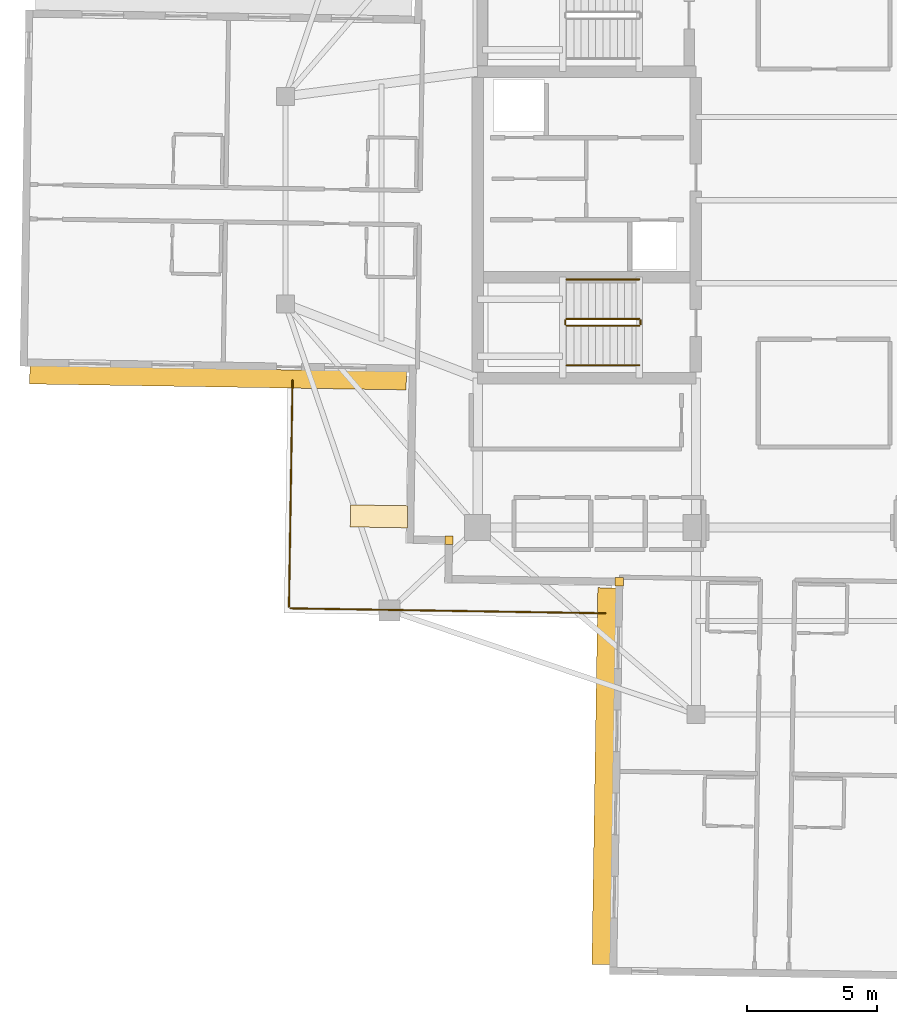
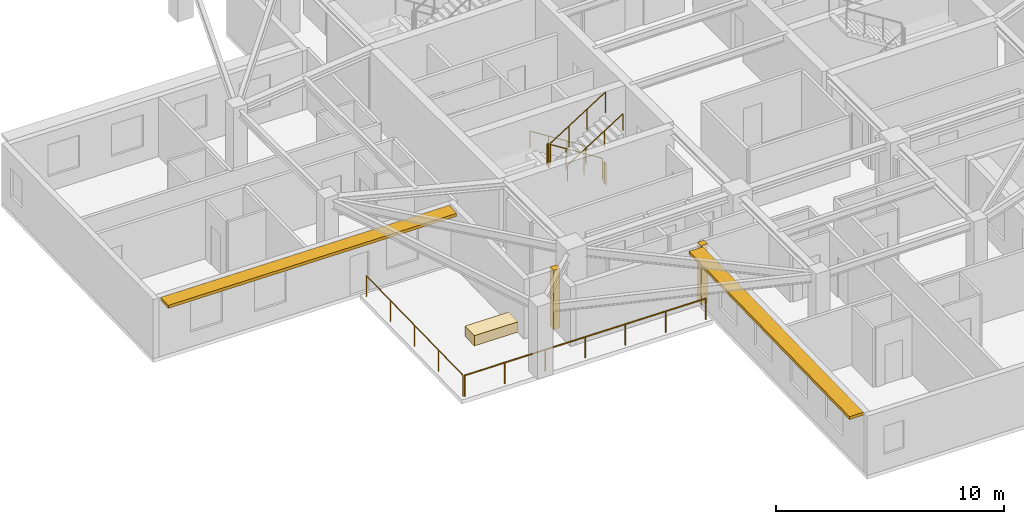
# One storey, part 9 of 12: 8 railings, 3 coverings, 2 shading devices.
"""IFC4 building model written with IfcOpenShell, lengths in metres."""

from ifc_helpers import new_model, si_unit, direction, frame, origin, origin_2d, place, context, subcontext, project, spatial, rectangle, circle, extrude, material, layer, layer_set, type_object, element, save


model = new_model("IFC4")

# Units and contexts
model_context = context("Model", 3, precision=1e-05, world=origin(), true_north=direction((0.0, 1.0)))
body_context = subcontext(model_context, "Body", "Model", "MODEL_VIEW")
ifc_project = project(units=[si_unit("LENGTHUNIT", "METRE"), si_unit("AREAUNIT", "SQUARE_METRE"), si_unit("VOLUMEUNIT", "CUBIC_METRE"), si_unit("PLANEANGLEUNIT", "RADIAN"), si_unit("MASSUNIT", "GRAM", prefix="KILO")], contexts=[model_context])

# Site, building, storey
site_placement = place(None, origin())
site = spatial("IfcSite", under=ifc_project, at=site_placement, CompositionType="ELEMENT")
building_placement = place(site_placement, origin())
building = spatial("IfcBuilding", under=site, at=building_placement, Name="Qingluan Cross Belvedere", CompositionType="ELEMENT")
storey_placement = place(building_placement, frame((0.0, 0.0, 261.60009765625)))
storey = spatial("IfcBuildingStorey", under=building, at=storey_placement, Name="L65", CompositionType="ELEMENT", Elevation=261.60009765625)

# Coverings
ifc_material_1 = material(Name="Precast concrete C45", Category="concrete")
ifc_layer_1 = layer(ifc_material_1, 0.1201171875, Name="ConcreteSpandrelCladding_120")
ifc_layer_set_1 = layer_set([ifc_layer_1], Name="Precast concrete C45")
covering_type_1 = type_object("IfcCoveringType", Name="ConcreteSpandrelCladding_120", PredefinedType="CLADDING", material=ifc_layer_set_1)
for number, where, z_axis, x_axis, name in (
    (1, (-13.50732421875, -13.089599609375, 0.0), (0.0, 0.0, 1.0), (0.999876632482, -0.015707317312, 0.0), "Corner closure L65-SW1"),
    (2, (-6.95166015625, -14.692626953125, 0.0), (0.0, 0.0, 1.0), (0.999876632482, -0.015707317312, 0.0), "Corner closure L65-SW2"),
):
    element("IfcCovering", number, at=place(storey_placement, frame(where, z_axis=z_axis, x_axis=x_axis)), inside=storey, type_object=covering_type_1, Name=name, PredefinedType="CLADDING", context=body_context, shape_type="SweptSolid", body=[
        extrude(rectangle(XDim=0.320068359375, YDim=0.320068359375, at=origin_2d()), origin(), (0.0, 0.0, 1.0), 3.179931640625),
    ])

# Shading devices
ifc_material_2 = material(Name="Precast concrete C45", Category="concrete")
ifc_layer_2 = layer(ifc_material_2, 0.139892578125, Name="ConcreteSunshadeBand_700")
ifc_layer_set_2 = layer_set([ifc_layer_2], Name="Precast concrete C45")
shading_device_type = type_object("IfcShadingDeviceType", Name="ConcreteSunshadeBand_700", PredefinedType="USERDEFINED", material=ifc_layer_set_2)
for number, where, z_axis, x_axis, name in (
    (3, (-22.400146484375, -6.839111328125, 3.0), (0.0, 0.0, 1.0), (0.999876630106, -0.015707468526, 0.0), "Concrete SUNSHADE L65-WB"),
    (4, (-7.539306640625, -22.17431640625, 3.0), (0.0, 0.0, 1.0), (-0.015707468526, -0.999876630106, 0.0), "Concrete SUNSHADE L65-SA"),
):
    element("IfcShadingDevice", number, at=place(storey_placement, frame(where, z_axis=z_axis, x_axis=x_axis)), inside=storey, type_object=shading_device_type, Name=name, ObjectType="SUNSHADE", PredefinedType="USERDEFINED", context=body_context, shape_type="SweptSolid", body=[
        extrude(rectangle(XDim=14.5, YDim=0.699951171875, at=origin_2d()), origin(), (0.0, 0.0, 1.0), 0.159912109375),
    ])

# Railings
ifc_material_3 = material(Name="Brushed stainless steel tubular handrail", Category="steel")
railing_type_1 = type_object("IfcRailingType", Name="StairPitchHandrail_900", PredefinedType="HANDRAIL", material=ifc_material_3)
railing_1_placement = place(storey_placement, frame((-6.179931640625, -3.050048828125, 0.17724609375)))
element("IfcRailing", 5, at=railing_1_placement, inside=storey, type_object=railing_type_1, Name="L65 ST1 stair handrail 1", PredefinedType="HANDRAIL", context=body_context, shape_type="SweptSolid", body=[
    extrude(circle(Radius=0.02392578125, at=origin_2d()), frame((0.0, 0.0, 0.8759765625), z_axis=(-0.844908973607, 0.0, 0.534910110503), x_axis=(0.0, -1.0, 0.0)), (0.0, 0.0, 1.0), 3.31396484375),
    extrude(circle(Radius=0.02099609375, at=origin_2d()), origin(), (0.0, 0.0, 1.0), 0.851806640625),
    extrude(circle(Radius=0.02099609375, at=origin_2d()), frame((-0.933349609375, 0.0, 0.5908203125)), (0.0, 0.0, 1.0), 0.851806640625),
    extrude(circle(Radius=0.02099609375, at=origin_2d()), frame((-1.86669921875, 0.0, 1.181884765625)), (0.0, 0.0, 1.0), 0.851806640625),
    extrude(circle(Radius=0.02099609375, at=origin_2d()), frame((-2.800048828125, 0.0, 1.772705078125)), (0.0, 0.0, 1.0), 0.851806640625),
])
railing_2_placement = place(storey_placement, frame((-8.97998046875, -6.35009765625, 2.127197265625)))
element("IfcRailing", 6, at=railing_2_placement, inside=storey, type_object=railing_type_1, Name="L65 ST1 stair handrail 2", PredefinedType="HANDRAIL", context=body_context, shape_type="SweptSolid", body=[
    extrude(circle(Radius=0.02392578125, at=origin_2d()), frame((0.0, 0.0, 0.8759765625), z_axis=(0.844908973607, 0.0, 0.534910110503), x_axis=(0.0, 1.0, 0.0)), (0.0, 0.0, 1.0), 3.31396484375),
    extrude(circle(Radius=0.02099609375, at=origin_2d()), origin(), (0.0, 0.0, 1.0), 0.851806640625),
    extrude(circle(Radius=0.02099609375, at=origin_2d()), frame((0.933349609375, 0.0, 0.5908203125)), (0.0, 0.0, 1.0), 0.851806640625),
    extrude(circle(Radius=0.02099609375, at=origin_2d()), frame((1.86669921875, 0.0, 1.181884765625)), (0.0, 0.0, 1.0), 0.851806640625),
    extrude(circle(Radius=0.02099609375, at=origin_2d()), frame((2.800048828125, 0.0, 1.772705078125)), (0.0, 0.0, 1.0), 0.851806640625),
])
ifc_material_4 = material(Name="Painted steel stair well guard", Category="steel")
railing_type_2 = type_object("IfcRailingType", Name="StairWellGuard_1150", PredefinedType="BALUSTRADE", material=ifc_material_4)
railing_3_placement = place(storey_placement, frame((-6.179931640625, -4.570068359375, 0.17724609375)))
element("IfcRailing", 7, at=railing_3_placement, inside=storey, type_object=railing_type_2, Name="L65 ST1 stair guard 1", PredefinedType="BALUSTRADE", context=body_context, shape_type="SweptSolid", body=[
    extrude(circle(Radius=0.02392578125, at=origin_2d()), frame((0.0, 0.0, 1.1259765625), z_axis=(-0.844908973607, 0.0, 0.534910110503), x_axis=(0.0, -1.0, 0.0)), (0.0, 0.0, 1.0), 3.31396484375),
    extrude(circle(Radius=0.02099609375, at=origin_2d()), origin(), (0.0, 0.0, 1.0), 1.101806640625),
    extrude(circle(Radius=0.02099609375, at=origin_2d()), frame((-0.933349609375, 0.0, 0.5908203125)), (0.0, 0.0, 1.0), 1.101806640625),
    extrude(circle(Radius=0.02099609375, at=origin_2d()), frame((-1.86669921875, 0.0, 1.181884765625)), (0.0, 0.0, 1.0), 1.101806640625),
    extrude(circle(Radius=0.02099609375, at=origin_2d()), frame((-2.800048828125, 0.0, 1.772705078125)), (0.0, 0.0, 1.0), 1.101806640625),
])
railing_4_placement = place(storey_placement, frame((-9.030029296875, -4.6201171875, 1.949951171875)))
element("IfcRailing", 8, at=railing_4_placement, inside=storey, type_object=railing_type_2, Name="L65 ST1 stair guard 2", PredefinedType="BALUSTRADE", context=body_context, shape_type="SweptSolid", body=[
    extrude(circle(Radius=0.02392578125, at=origin_2d()), frame((0.0, 0.0, 1.1259765625), z_axis=(0.0, -1.0, 0.0), x_axis=(1.0, 0.0, 0.0)), (0.0, 0.0, 1.0), 0.159912109375),
    extrude(circle(Radius=0.02099609375, at=origin_2d()), origin(), (0.0, 0.0, 1.0), 1.101806640625),
    extrude(circle(Radius=0.02099609375, at=origin_2d()), frame((0.0, -0.159912109375, 0.0)), (0.0, 0.0, 1.0), 1.101806640625),
])
railing_5_placement = place(storey_placement, frame((-8.97998046875, -4.830078125, 2.127197265625)))
element("IfcRailing", 9, at=railing_5_placement, inside=storey, type_object=railing_type_2, Name="L65 ST1 stair guard 3", PredefinedType="BALUSTRADE", context=body_context, shape_type="SweptSolid", body=[
    extrude(circle(Radius=0.02392578125, at=origin_2d()), frame((0.0, 0.0, 1.1259765625), z_axis=(0.844908973607, 0.0, 0.534910110503), x_axis=(0.0, 1.0, 0.0)), (0.0, 0.0, 1.0), 3.31396484375),
    extrude(circle(Radius=0.02099609375, at=origin_2d()), origin(), (0.0, 0.0, 1.0), 1.101806640625),
    extrude(circle(Radius=0.02099609375, at=origin_2d()), frame((0.933349609375, 0.0, 0.5908203125)), (0.0, 0.0, 1.0), 1.101806640625),
    extrude(circle(Radius=0.02099609375, at=origin_2d()), frame((1.86669921875, 0.0, 1.181884765625)), (0.0, 0.0, 1.0), 1.101806640625),
    extrude(circle(Radius=0.02099609375, at=origin_2d()), frame((2.800048828125, 0.0, 1.772705078125)), (0.0, 0.0, 1.0), 1.101806640625),
])
railing_6_placement = place(storey_placement, frame((-6.1298828125, -4.6201171875, 0.0)))
element("IfcRailing", 10, at=railing_6_placement, inside=storey, type_object=railing_type_2, Name="L65 ST1 stair guard 4", PredefinedType="BALUSTRADE", context=body_context, shape_type="SweptSolid", body=[
    extrude(circle(Radius=0.02392578125, at=origin_2d()), frame((0.0, 0.0, 1.1259765625), z_axis=(0.0, -1.0, 0.0), x_axis=(1.0, 0.0, 0.0)), (0.0, 0.0, 1.0), 0.159912109375),
    extrude(circle(Radius=0.02099609375, at=origin_2d()), origin(), (0.0, 0.0, 1.0), 1.101806640625),
    extrude(circle(Radius=0.02099609375, at=origin_2d()), frame((0.0, -0.159912109375, 0.0)), (0.0, 0.0, 1.0), 1.101806640625),
])
ifc_material_5 = material(Name="Laminated glass and stainless steel balustrade", Category="steel")
railing_type_3 = type_object("IfcRailingType", Name="TerraceGuardBalustrade_1150", PredefinedType="BALUSTRADE", material=ifc_material_5)
railing_7_placement = place(storey_placement, frame((-7.49072265625, -15.904296875, 0.0)))
element("IfcRailing", 11, at=railing_7_placement, inside=storey, type_object=railing_type_3, Name="Terrace guard L65-1", PredefinedType="BALUSTRADE", context=body_context, shape_type="SweptSolid", body=[
    extrude(circle(Radius=0.02392578125, at=origin_2d()), frame((0.0, 0.0, 1.1259765625), z_axis=(-0.999876556639, 0.015712144452, 0.0), x_axis=(-0.015712144452, -0.999876556639, 0.0)), (0.0, 0.0, 1.0), 12.119873046875),
    extrude(circle(Radius=0.02099609375, at=origin_2d()), origin(), (0.0, 0.0, 1.0), 1.101806640625),
    extrude(circle(Radius=0.02099609375, at=origin_2d()), frame((-2.019775390625, 0.03173828125, 0.0)), (0.0, 0.0, 1.0), 1.101806640625),
    extrude(circle(Radius=0.02099609375, at=origin_2d()), frame((-4.03955078125, 0.0634765625, 0.0)), (0.0, 0.0, 1.0), 1.101806640625),
    extrude(circle(Radius=0.02099609375, at=origin_2d()), frame((-6.05908203125, 0.09521484375, 0.0)), (0.0, 0.0, 1.0), 1.101806640625),
    extrude(circle(Radius=0.02099609375, at=origin_2d()), frame((-8.078857421875, 0.126953125, 0.0)), (0.0, 0.0, 1.0), 1.101806640625),
    extrude(circle(Radius=0.02099609375, at=origin_2d()), frame((-10.0986328125, 0.15869140625, 0.0)), (0.0, 0.0, 1.0), 1.101806640625),
    extrude(circle(Radius=0.02099609375, at=origin_2d()), frame((-12.118408203125, 0.1904296875, 0.0)), (0.0, 0.0, 1.0), 1.101806640625),
])
railing_8_placement = place(storey_placement, frame((-19.668212890625, -15.653076171875, 0.0)))
element("IfcRailing", 12, at=railing_8_placement, inside=storey, type_object=railing_type_3, Name="Terrace guard L65-2", PredefinedType="BALUSTRADE", context=body_context, shape_type="SweptSolid", body=[
    extrude(circle(Radius=0.02392578125, at=origin_2d()), frame((0.0, 0.0, 1.1259765625), z_axis=(0.015706627752, 0.999876643314, 0.0), x_axis=(-0.999876643314, 0.015706627752, 0.0)), (0.0, 0.0, 1.0), 8.719970703125),
    extrude(circle(Radius=0.02099609375, at=origin_2d()), origin(), (0.0, 0.0, 1.0), 1.101806640625),
    extrude(circle(Radius=0.02099609375, at=origin_2d()), frame((0.0341796875, 2.1796875, 0.0)), (0.0, 0.0, 1.0), 1.101806640625),
    extrude(circle(Radius=0.02099609375, at=origin_2d()), frame((0.068359375, 4.359375, 0.0)), (0.0, 0.0, 1.0), 1.101806640625),
    extrude(circle(Radius=0.02099609375, at=origin_2d()), frame((0.102783203125, 6.539306640625, 0.0)), (0.0, 0.0, 1.0), 1.101806640625),
    extrude(circle(Radius=0.02099609375, at=origin_2d()), frame((0.136962890625, 8.718994140625, 0.0)), (0.0, 0.0, 1.0), 1.101806640625),
])

# Covering
ifc_material_6 = material(Name="Precast concrete C40", Category="concrete")
ifc_layer_3 = layer(ifc_material_6, 0.550048828125, Name="TerracePlanterBox")
ifc_layer_set_3 = layer_set([ifc_layer_3], Name="Precast concrete C40")
covering_type_2 = type_object("IfcCoveringType", Name="TerracePlanterBox", PredefinedType="USERDEFINED", material=ifc_layer_set_3)
covering_placement = place(storey_placement, frame((-16.202880859375, -12.172119140625, 0.0), z_axis=(0.0, 0.0, 1.0), x_axis=(0.999876632482, -0.015707317312, 0.0)))
element("IfcCovering", 13, at=covering_placement, inside=storey, type_object=covering_type_2, Name="Spiralling winter-garden planter L65", ObjectType="PLANTER", PredefinedType="USERDEFINED", context=body_context, shape_type="SweptSolid", body=[
    extrude(rectangle(XDim=2.199951171875, YDim=0.85009765625, at=origin_2d()), origin(), (0.0, 0.0, 1.0), 0.550048828125),
])

save(model, "model.ifc")
